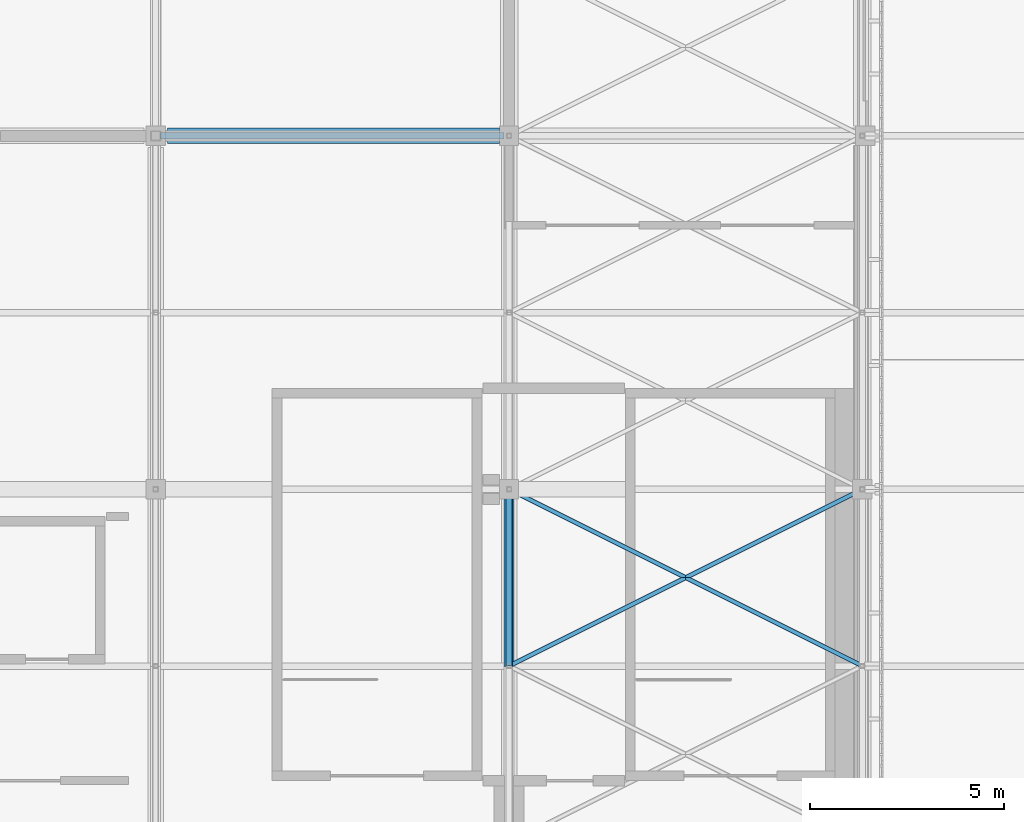
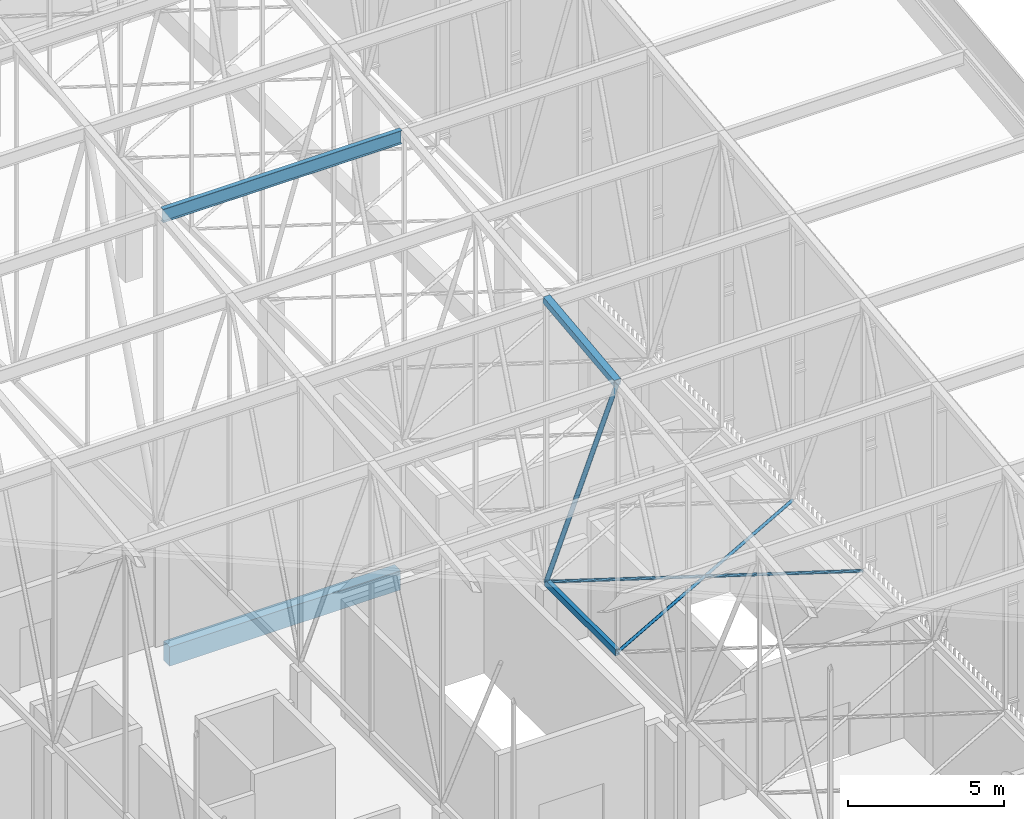
# One storey, part 352 of 500: 6 members, 1 beam.
"""IFC4 building model written with IfcOpenShell, lengths in metres."""

from ifc_helpers import new_model, si_unit, direction, frame, origin, origin_2d, place, context, subcontext, project, spatial, rectangle, hollow_rectangle, hollow_circle, i_section, extrude, material, material_profile, profile_set, type_object, element, save


model = new_model("IFC4")

# Units and contexts
model_context = context("Model", 3, precision=1e-05, world=origin(), true_north=direction((0.0, 1.0)))
body_context = subcontext(model_context, "Body", "Model", "MODEL_VIEW")
ifc_project = project(units=[si_unit("LENGTHUNIT", "METRE"), si_unit("AREAUNIT", "SQUARE_METRE"), si_unit("VOLUMEUNIT", "CUBIC_METRE"), si_unit("PLANEANGLEUNIT", "RADIAN"), si_unit("MASSUNIT", "GRAM", prefix="KILO")], contexts=[model_context])

# Site, building, storey
site_placement = place(None, origin())
site = spatial("IfcSite", under=ifc_project, at=site_placement, CompositionType="ELEMENT")
building_placement = place(site_placement, origin())
building = spatial("IfcBuilding", under=site, at=building_placement, Name="Shirokan Park Arena", CompositionType="ELEMENT")
storey_placement = place(building_placement, frame((0.0, 0.0, 29.1201171875)))
storey = spatial("IfcBuildingStorey", under=building, at=storey_placement, Name="L06", CompositionType="ELEMENT", Elevation=29.1201171875)

# Members
ifc_material_1 = material(Name="Steel ASTM A500 Grade C", Category="steel")
ifc_material_profile_1 = material_profile(ifc_material_1, hollow_rectangle(XDim=0.152099609375, YDim=0.25390625, WallThickness=0.009521484375, at=origin_2d()), Name="HSS254X152.4X9.5")
ifc_profile_set_1 = profile_set([ifc_material_profile_1], Name="Steel ASTM A500 Grade C")
member_type_1 = type_object("IfcMemberType", Name="Bottom chord HSS254X152.4X9.5", PredefinedType="CHORD", material=ifc_profile_set_1)
member_1_placement = place(storey_placement, frame((136.5, 22.75, 4.677001953125), z_axis=(0.0, 1.0, 0.0), x_axis=(-1.0, 0.0, 0.0)))
element("IfcMember", 1, at=member_1_placement, inside=storey, type_object=member_type_1, Name="Truss T16 bottom chord 8", PredefinedType="CHORD", context=body_context, shape_type="SweptSolid", body=[
    extrude(hollow_rectangle(XDim=0.152099609375, YDim=0.25390625, WallThickness=0.009521484375, at=origin_2d()), origin(), (0.0, 0.0, 1.0), 4.550048828125),
])
ifc_material_profile_2 = material_profile(ifc_material_1, hollow_circle(Radius=0.056884765625, WallThickness=0.006103515625, at=origin_2d()), Name="HSS114.3X6")
ifc_profile_set_2 = profile_set([ifc_material_profile_2], Name="Steel ASTM A500 Grade C")
member_type_2 = type_object("IfcMemberType", Name="Plan bracing HSS114.3X6", PredefinedType="BRACE", material=ifc_profile_set_2)
for number, where, z_axis, x_axis, name in (
    (2, (136.5, 22.75, 4.677001953125), (0.894427191, 0.4472135955, 0.0), (-0.4472135955, 0.894427191, 0.0), "Plan bracing bay 16 panel 8 A"),
    (3, (145.60009765625, 22.75, 4.677001953125), (-0.894427191, 0.4472135955, 0.0), (-0.4472135955, -0.894427191, 0.0), "Plan bracing bay 16 panel 8 B"),
):
    element("IfcMember", number, at=place(storey_placement, frame(where, z_axis=z_axis, x_axis=x_axis)), inside=storey, type_object=member_type_2, Name=name, PredefinedType="BRACE", context=body_context, shape_type="SweptSolid", body=[
        extrude(hollow_circle(Radius=0.056884765625, WallThickness=0.006103515625, at=origin_2d()), origin(), (0.0, 0.0, 1.0), 10.17431640625),
    ])
ifc_material_2 = material(Name="Steel ASTM A992", Category="steel")
ifc_material_profile_3 = material_profile(ifc_material_2, i_section(OverallWidth=0.166015625, OverallDepth=0.528076171875, WebThickness=0.009765625, FlangeThickness=0.013671875, at=origin_2d()), Name="W530X74")
ifc_profile_set_3 = profile_set([ifc_material_profile_3], Name="Steel ASTM A992")
member_type_3 = type_object("IfcMemberType", Name="Purlin W530X74", PredefinedType="PURLIN", material=ifc_profile_set_3)
member_2_placement = place(storey_placement, frame((127.527099609375, 36.39990234375, 16.64599609375), z_axis=(1.0, 0.0, 0.0), x_axis=(0.0, 1.0, 0.0)))
element("IfcMember", 4, at=member_2_placement, inside=storey, type_object=member_type_3, Name="Purlin 11 bay 15", PredefinedType="PURLIN", context=body_context, shape_type="SweptSolid", body=[
    extrude(i_section(OverallWidth=0.166015625, OverallDepth=0.528076171875, WebThickness=0.009765625, FlangeThickness=0.013671875, at=origin_2d()), origin(), (0.0, 0.0, 1.0), 8.845947265625),
])

# Beam
ifc_material_3 = material(Name="Concrete C35", Category="concrete")
ifc_material_profile_4 = material_profile(ifc_material_3, rectangle(XDim=0.39990234375, YDim=0.75, at=origin_2d()), Name="400x750")
ifc_profile_set_4 = profile_set([ifc_material_profile_4], Name="Concrete C35")
beam_type = type_object("IfcBeamType", Name="RC girder 400x750", PredefinedType="BEAM", material=ifc_profile_set_4)
beam_placement = place(storey_placement, frame((127.7001953125, 36.39990234375, -0.5751953125), z_axis=(1.0, 0.0, 0.0), x_axis=(0.0, 1.0, 0.0)))
element("IfcBeam", 5, at=beam_placement, inside=storey, type_object=beam_type, Name="Girder 15E-16E L06", PredefinedType="BEAM", context=body_context, shape_type="SweptSolid", body=[
    extrude(rectangle(XDim=0.39990234375, YDim=0.75, at=origin_2d()), origin(), (0.0, 0.0, 1.0), 8.5498046875),
])

# Members
ifc_material_profile_5 = material_profile(ifc_material_1, hollow_rectangle(XDim=0.25390625, YDim=0.25390625, WallThickness=0.009521484375, at=origin_2d()), Name="HSS254X254X9.5")
ifc_profile_set_5 = profile_set([ifc_material_profile_5], Name="Steel ASTM A500 Grade C")
member_type_4 = type_object("IfcMemberType", Name="Top chord HSS254X254X9.5", PredefinedType="CHORD", material=ifc_profile_set_5)
member_3_placement = place(storey_placement, frame((136.5, 22.75, 15.222900390625), z_axis=(0.0, 0.993532328996, 0.113549598152), x_axis=(-1.0, 0.0, 0.0)))
element("IfcMember", 6, at=member_3_placement, inside=storey, type_object=member_type_4, Name="Truss T16 top chord 8", PredefinedType="CHORD", context=body_context, shape_type="SweptSolid", body=[
    extrude(hollow_rectangle(XDim=0.25390625, YDim=0.25390625, WallThickness=0.009521484375, at=origin_2d()), origin(), (0.0, 0.0, 1.0), 4.57958984375),
])
ifc_material_profile_6 = material_profile(ifc_material_1, hollow_circle(Radius=0.083984375, WallThickness=0.009521484375, at=origin_2d()), Name="HSS168.3X9.5")
ifc_profile_set_6 = profile_set([ifc_material_profile_6], Name="Steel ASTM A500 Grade C")
member_type_5 = type_object("IfcMemberType", Name="Truss diagonal HSS168.3X9.5", PredefinedType="BRACE", material=ifc_profile_set_6)
member_4_placement = place(storey_placement, frame((136.5, 22.75, 15.222900390625), z_axis=(0.0, 0.396152605513, -0.918184683572), x_axis=(-1.0, 0.0, 0.0)))
element("IfcMember", 7, at=member_4_placement, inside=storey, type_object=member_type_5, Name="Truss T16 diagonal 8", PredefinedType="BRACE", context=body_context, shape_type="SweptSolid", body=[
    extrude(hollow_circle(Radius=0.083984375, WallThickness=0.009521484375, at=origin_2d()), origin(), (0.0, 0.0, 1.0), 11.485595703125),
])

save(model, "model.ifc")
